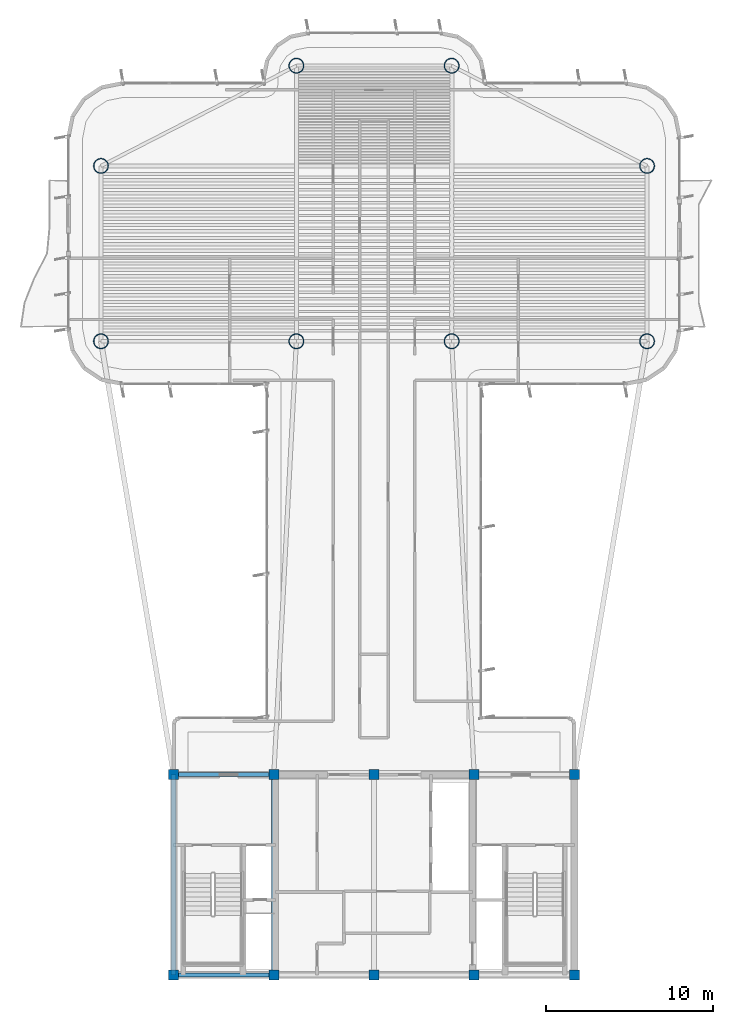
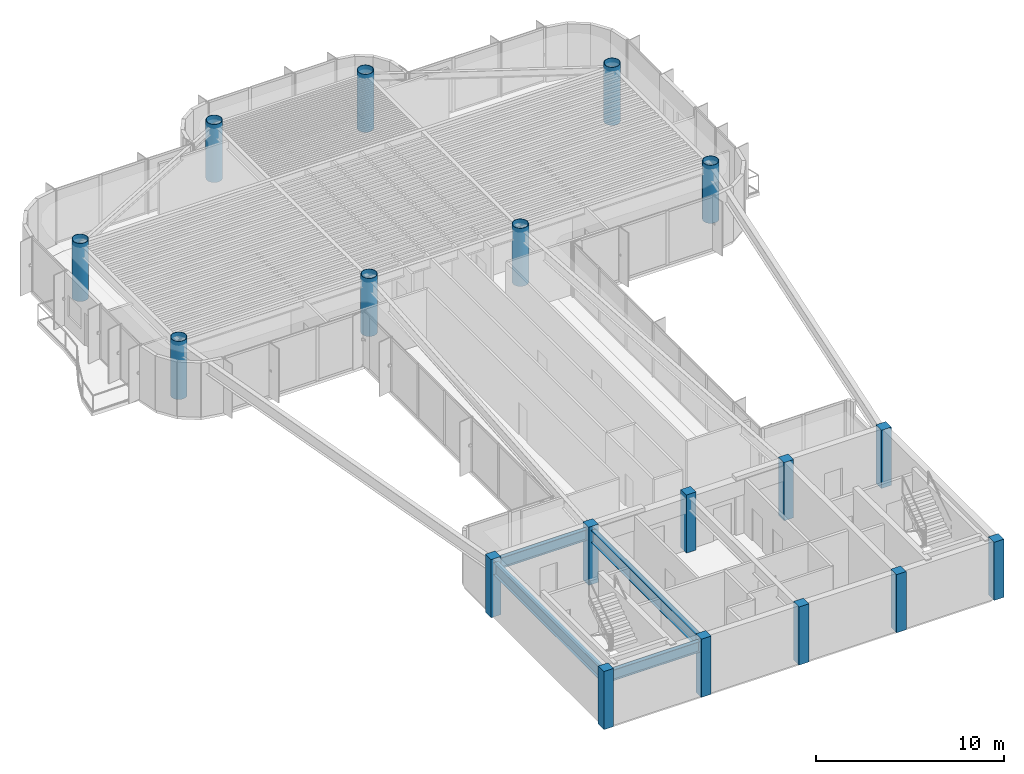
# One storey, part 1 of 15: 18 columns, 4 beams.
"""IFC4 building model written with IfcOpenShell, lengths in metres."""

from ifc_helpers import new_model, si_unit, direction, frame, origin, origin_2d, place, context, subcontext, project, spatial, rectangle, hollow_circle, i_section, extrude, source, transform, mapped, material, material_profile, profile_set, type_object, element, save


model = new_model("IFC4")

# Units and contexts
model_context = context("Model", 3, precision=1e-05, world=origin(), true_north=direction((0.0, 1.0)))
body_context = subcontext(model_context, "Body", "Model", "MODEL_VIEW")
ifc_project = project(units=[si_unit("LENGTHUNIT", "METRE"), si_unit("AREAUNIT", "SQUARE_METRE"), si_unit("VOLUMEUNIT", "CUBIC_METRE"), si_unit("PLANEANGLEUNIT", "RADIAN"), si_unit("MASSUNIT", "GRAM", prefix="KILO")], contexts=[model_context])

# Site, building, storey
site_placement = place(None, origin())
site = spatial("IfcSite", under=ifc_project, at=site_placement, CompositionType="ELEMENT")
building_placement = place(site_placement, origin())
building = spatial("IfcBuilding", under=site, at=building_placement, Name="Brelvock Crest Care Tower", CompositionType="ELEMENT")
storey_placement = place(building_placement, frame((0.0, 0.0, 249.47998046875)))
storey = spatial("IfcBuildingStorey", under=building, at=storey_placement, Name="L63", CompositionType="ELEMENT", Elevation=249.47998046875)

# Columns
ifc_material_1 = material(Name="Concrete S65 (65 MPa)", Category="concrete")
ifc_material_profile_1 = material_profile(ifc_material_1, rectangle(XDim=0.60009765625, YDim=0.60009765625, at=origin_2d()), Name="RC600x600")
ifc_profile_set_1 = profile_set([ifc_material_profile_1], Name="Concrete S65 (65 MPa)")
column_type_1 = type_object("IfcColumnType", Name="COL-RC4", PredefinedType="COLUMN", material=ifc_profile_set_1)
shared_shape_1 = source(origin(), body_context, "Body", "SweptSolid", [
    extrude(rectangle(XDim=0.60009765625, YDim=0.60009765625, at=origin_2d()), origin(), (0.0, 0.0, 1.0), 3.780029296875),
])
for number, where, z_axis, x_axis, name in (
    (1, (24.0, 6.0, 0.0), (0.0, 0.0, 1.0), (1.0, 0.0, 0.0), "L63 Core Column CC-01"),
    (2, (30.0, 6.0, 0.0), (0.0, 0.0, 1.0), (1.0, 0.0, 0.0), "L63 Core Column CC-02"),
    (3, (36.0, 6.0, 0.0), (0.0, 0.0, 1.0), (1.0, 0.0, 0.0), "L63 Core Column CC-03"),
    (4, (42.0, 6.0, 0.0), (0.0, 0.0, 1.0), (1.0, 0.0, 0.0), "L63 Core Column CC-04"),
    (5, (48.0, 6.0, 0.0), (0.0, 0.0, 1.0), (1.0, 0.0, 0.0), "L63 Core Column CC-05"),
    (6, (24.0, 18.0, 0.0), (0.0, 0.0, 1.0), (1.0, 0.0, 0.0), "L63 Core Column CC-06"),
    (7, (30.0, 18.0, 0.0), (0.0, 0.0, 1.0), (1.0, 0.0, 0.0), "L63 Core Column CC-07"),
    (8, (36.0, 18.0, 0.0), (0.0, 0.0, 1.0), (1.0, 0.0, 0.0), "L63 Core Column CC-08"),
    (9, (42.0, 18.0, 0.0), (0.0, 0.0, 1.0), (1.0, 0.0, 0.0), "L63 Core Column CC-09"),
    (10, (48.0, 18.0, 0.0), (0.0, 0.0, 1.0), (1.0, 0.0, 0.0), "L63 Core Column CC-10"),
):
    element("IfcColumn", number, at=place(storey_placement, frame(where, z_axis=z_axis, x_axis=x_axis)), inside=storey, type_object=column_type_1, Name=name, PredefinedType="COLUMN", context=body_context, shape_type="MappedRepresentation", body=[
        mapped(shared_shape_1, transform((0.0, 0.0, 0.0), x_axis=(1.0, 0.0, 0.0), y_axis=(0.0, 1.0, 0.0), z_axis=(0.0, 0.0, 1.0), scale=1.0)),
    ])
ifc_material_2 = material(Name="Steel Grade 350", Category="steel")
ifc_material_profile_2 = material_profile(ifc_material_2, hollow_circle(Radius=0.449951171875, WallThickness=0.031982421875, at=origin_2d()), Name="CFT900x32")
ifc_profile_set_2 = profile_set([ifc_material_profile_2], Name="Steel Grade 350")
column_type_2 = type_object("IfcColumnType", Name="COL-MC4", PredefinedType="COLUMN", material=ifc_profile_set_2)
shared_shape_2 = source(origin(), body_context, "Body", "SweptSolid", [
    extrude(hollow_circle(Radius=0.449951171875, WallThickness=0.031982421875, at=origin_2d()), origin(), (0.0, 0.0, 1.0), 3.780029296875),
])
for number, where, z_axis, x_axis, name in (
    (11, (19.64990234375, 43.949951171875, 0.0), (0.0, 0.0, 1.0), (1.0, 0.0, 0.0), "L63 Tower Column M1"),
    (12, (19.64990234375, 54.449951171875, 0.0), (0.0, 0.0, 1.0), (1.0, 0.0, 0.0), "L63 Tower Column M2"),
    (13, (52.35009765625, 43.949951171875, 0.0), (0.0, 0.0, 1.0), (1.0, 0.0, 0.0), "L63 Tower Column M3"),
    (14, (52.35009765625, 54.449951171875, 0.0), (0.0, 0.0, 1.0), (1.0, 0.0, 0.0), "L63 Tower Column M4"),
    (15, (31.35009765625, 43.949951171875, 0.0), (0.0, 0.0, 1.0), (1.0, 0.0, 0.0), "L63 Tower Column M5"),
    (16, (40.64990234375, 43.949951171875, 0.0), (0.0, 0.0, 1.0), (1.0, 0.0, 0.0), "L63 Tower Column M6"),
    (17, (31.35009765625, 60.449951171875, 0.0), (0.0, 0.0, 1.0), (1.0, 0.0, 0.0), "L63 Tower Column M7"),
    (18, (40.64990234375, 60.449951171875, 0.0), (0.0, 0.0, 1.0), (1.0, 0.0, 0.0), "L63 Tower Column M8"),
):
    element("IfcColumn", number, at=place(storey_placement, frame(where, z_axis=z_axis, x_axis=x_axis)), inside=storey, type_object=column_type_2, Name=name, PredefinedType="COLUMN", context=body_context, shape_type="MappedRepresentation", body=[
        mapped(shared_shape_2, transform((0.0, 0.0, 0.0), x_axis=(1.0, 0.0, 0.0), y_axis=(0.0, 1.0, 0.0), z_axis=(0.0, 0.0, 1.0), scale=1.0)),
    ])

# Beams
ifc_material_profile_3 = material_profile(ifc_material_2, i_section(OverallWidth=0.25, OverallDepth=0.699951171875, WebThickness=0.011962890625, FlangeThickness=0.02001953125, at=origin_2d()), Name="700WB150")
ifc_profile_set_3 = profile_set([ifc_material_profile_3], Name="Steel Grade 350")
beam_type_1 = type_object("IfcBeamType", Name="BM-G4", PredefinedType="BEAM", material=ifc_profile_set_3)
shared_shape_3 = source(origin(), body_context, "Body", "SweptSolid", [
    extrude(i_section(OverallWidth=0.25, OverallDepth=0.699951171875, WebThickness=0.011962890625, FlangeThickness=0.02001953125, at=origin_2d()), origin(), (0.0, 0.0, 1.0), 6.0),
])
for number, where, z_axis, x_axis, name in (
    (19, (24.0, 6.0, 3.179931640625), (1.0, 0.0, 0.0), (0.0, 1.0, 0.0), "BM-CORES-L63-1"),
    (20, (24.0, 18.0, 3.179931640625), (1.0, 0.0, 0.0), (0.0, 1.0, 0.0), "BM-COREN-L63-1"),
):
    element("IfcBeam", number, at=place(storey_placement, frame(where, z_axis=z_axis, x_axis=x_axis)), inside=storey, type_object=beam_type_1, Name=name, PredefinedType="BEAM", context=body_context, shape_type="MappedRepresentation", body=[
        mapped(shared_shape_3, transform((0.0, 0.0, 0.0), x_axis=(1.0, 0.0, 0.0), y_axis=(0.0, 1.0, 0.0), z_axis=(0.0, 0.0, 1.0), scale=1.0)),
    ])
ifc_material_profile_4 = material_profile(ifc_material_2, i_section(OverallWidth=0.300048828125, OverallDepth=0.800048828125, WebThickness=0.013916015625, FlangeThickness=0.02197265625, at=origin_2d()), Name="800WB192")
ifc_profile_set_4 = profile_set([ifc_material_profile_4], Name="Steel Grade 350")
beam_type_2 = type_object("IfcBeamType", Name="BM-G5", PredefinedType="BEAM", material=ifc_profile_set_4)
shared_shape_4 = source(origin(), body_context, "Body", "SweptSolid", [
    extrude(i_section(OverallWidth=0.300048828125, OverallDepth=0.800048828125, WebThickness=0.013916015625, FlangeThickness=0.02197265625, at=origin_2d()), origin(), (0.0, 0.0, 1.0), 12.0),
])
for number, where, z_axis, x_axis, name in (
    (21, (24.0, 6.0, 3.130126953125), (0.0, 1.0, 0.0), (-1.0, 0.0, 0.0), "BM-COREX-L63-1"),
    (22, (30.0, 6.0, 3.130126953125), (0.0, 1.0, 0.0), (-1.0, 0.0, 0.0), "BM-COREX-L63-2"),
):
    element("IfcBeam", number, at=place(storey_placement, frame(where, z_axis=z_axis, x_axis=x_axis)), inside=storey, type_object=beam_type_2, Name=name, PredefinedType="BEAM", context=body_context, shape_type="MappedRepresentation", body=[
        mapped(shared_shape_4, transform((0.0, 0.0, 0.0), x_axis=(1.0, 0.0, 0.0), y_axis=(0.0, 1.0, 0.0), z_axis=(0.0, 0.0, 1.0), scale=1.0)),
    ])

save(model, "model.ifc")
